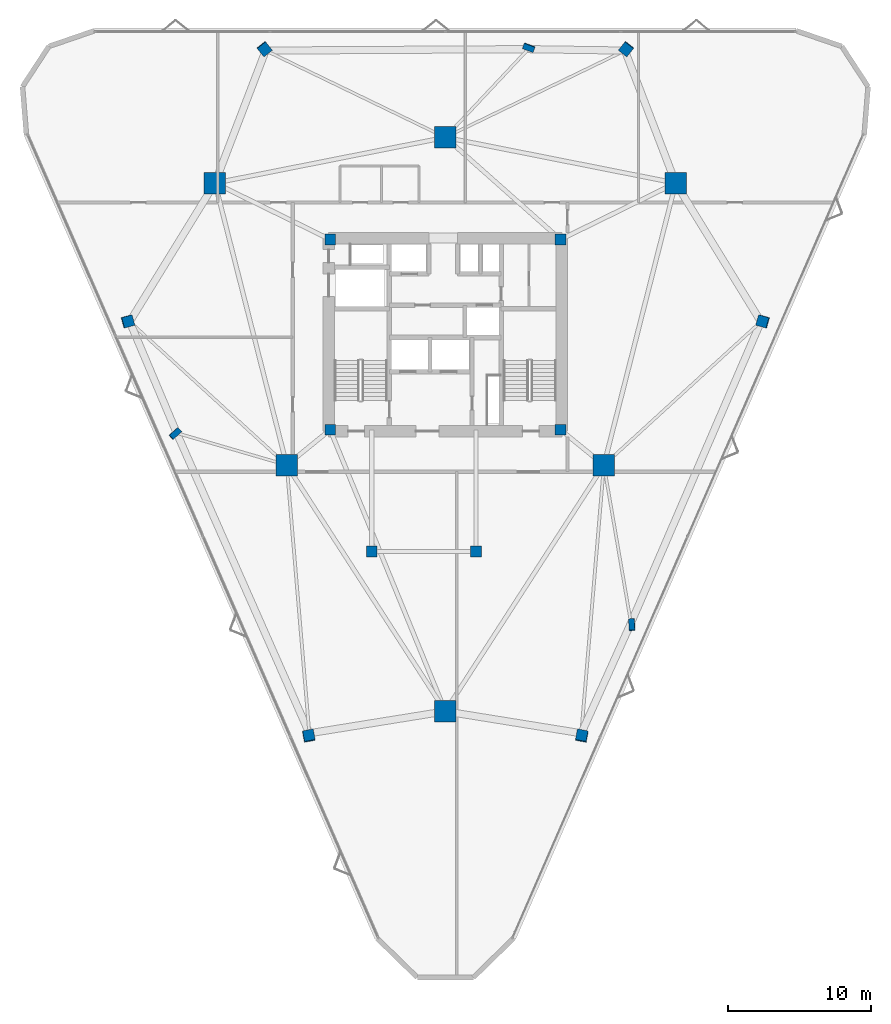
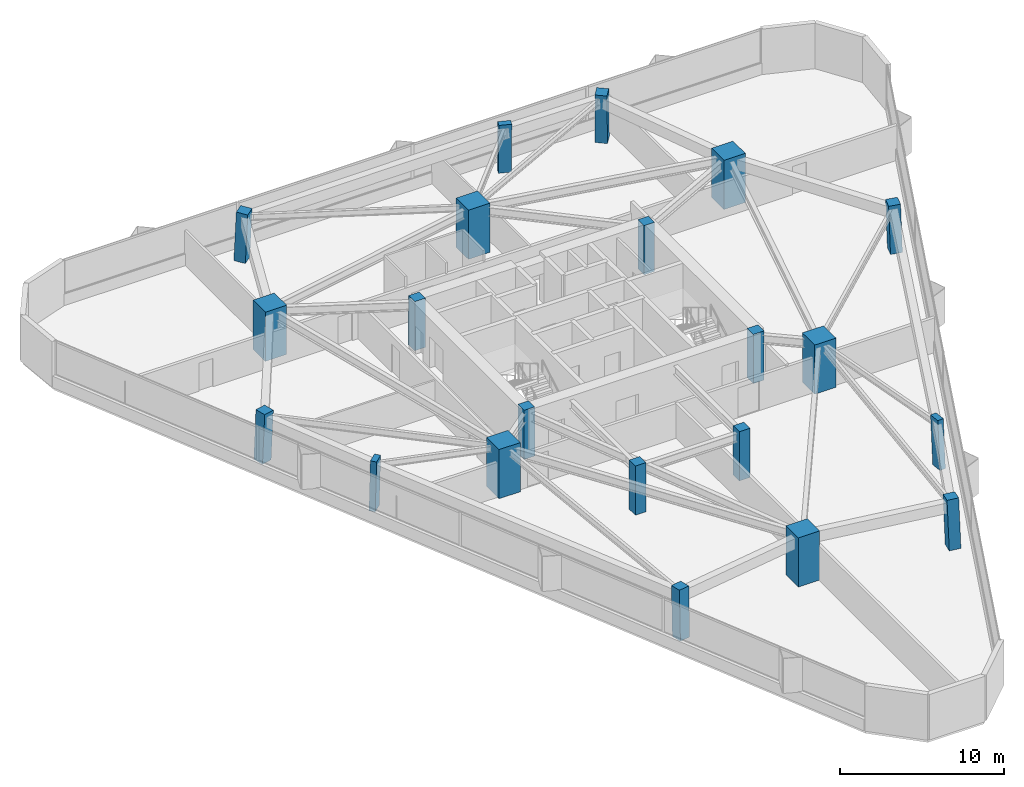
# One storey, part 1 of 14: 21 columns.
"""IFC4 building model written with IfcOpenShell, lengths in metres."""

from ifc_helpers import new_model, si_unit, direction, frame, origin, origin_2d, place, context, subcontext, project, spatial, rectangle, extrude, material, material_profile, profile_set, type_object, element, save


model = new_model("IFC4")

# Units and contexts
model_context = context("Model", 3, precision=1e-05, world=origin(), true_north=direction((0.0, 1.0)))
body_context = subcontext(model_context, "Body", "Model", "MODEL_VIEW")
ifc_project = project(units=[si_unit("LENGTHUNIT", "METRE"), si_unit("AREAUNIT", "SQUARE_METRE"), si_unit("VOLUMEUNIT", "CUBIC_METRE"), si_unit("PLANEANGLEUNIT", "RADIAN"), si_unit("MASSUNIT", "GRAM", prefix="KILO")], contexts=[model_context])

# Site, building, storey
site_placement = place(None, origin())
site = spatial("IfcSite", under=ifc_project, at=site_placement, CompositionType="ELEMENT")
building_placement = place(site_placement, origin())
building = spatial("IfcBuilding", under=site, at=building_placement, Name="Talyreon Biosciences Tower", CompositionType="ELEMENT")
storey_placement = place(building_placement, frame((0.0, 0.0, 130.85009765625)))
storey = spatial("IfcBuildingStorey", under=building, at=storey_placement, Name="L34", CompositionType="ELEMENT", Elevation=130.85009765625)

# Columns
ifc_material_1 = material(Name="Precast concrete C45/55", Category="concrete")
ifc_material_profile_1 = material_profile(ifc_material_1, rectangle(XDim=0.800048828125, YDim=0.39990234375, at=origin_2d()), Name="RC 800x400")
ifc_profile_set_1 = profile_set([ifc_material_profile_1], Name="Precast concrete C45/55")
column_type_1 = type_object("IfcColumnType", Name="FacadePilaster_800x400", PredefinedType="PILASTER", material=ifc_profile_set_1)
column_1_placement = place(storey_placement, frame((79.05078125, 47.701171875, 0.0029296875), z_axis=(-0.019612004119, 0.038286915892, 0.999074312234), x_axis=(0.06144981854, -0.997331178657, 0.03942638557)))
element("IfcColumn", 1, at=column_1_placement, inside=storey, type_object=column_type_1, Name="L34 Facade Pilaster PL-SE", PredefinedType="PILASTER", context=body_context, shape_type="SweptSolid", body=[
    extrude(rectangle(XDim=0.800048828125, YDim=0.39990234375, at=origin_2d()), origin(), (0.0, 0.0, 1.0), 3.6474609375),
])
column_2_placement = place(storey_placement, frame((71.84033203125, 88.080810546875, 0.0029296875), z_axis=(-0.01238655289, -0.033544124313, 0.999360478022), x_axis=(-0.9380871136, 0.346399433166, 0.0)))
element("IfcColumn", 2, at=column_2_placement, inside=storey, type_object=column_type_1, Name="L34 Facade Pilaster PL-N", PredefinedType="PILASTER", context=body_context, shape_type="SweptSolid", body=[
    extrude(rectangle(XDim=0.800048828125, YDim=0.39990234375, at=origin_2d()), origin(), (0.0, 0.0, 1.0), 3.646484375),
])
column_3_placement = place(storey_placement, frame((47.10888671875, 61.0830078125, 0.0029296875), z_axis=(0.032006476949, 0.010512587617, 0.999432374368), x_axis=(0.745436848486, 0.665860767663, -0.030876253122)))
element("IfcColumn", 3, at=column_3_placement, inside=storey, type_object=column_type_1, Name="L34 Facade Pilaster PL-SW", PredefinedType="PILASTER", context=body_context, shape_type="SweptSolid", body=[
    extrude(rectangle(XDim=0.800048828125, YDim=0.39990234375, at=origin_2d()), origin(), (0.0, 0.0, 1.0), 3.64599609375),
])
ifc_material_2 = material(Name="Concrete C60/75", Category="concrete")
ifc_material_profile_2 = material_profile(ifc_material_2, rectangle(XDim=1.5, YDim=1.5, at=origin_2d()), Name="RC 1500x1500")
ifc_profile_set_2 = profile_set([ifc_material_profile_2], Name="Concrete C60/75")
column_type_2 = type_object("IfcColumnType", Name="MegaColumn_1500", PredefinedType="COLUMN", material=ifc_profile_set_2)
for number, where, z_axis, x_axis, name in (
    (4, (66.0, 41.6669921875, 0.0), (0.0, 0.0, 1.0), (1.0, 0.0, 0.0), "L34 Composite Mega-Column MC1"),
    (5, (82.102294921875, 78.5986328125, 0.0), (0.0, 0.0, 1.0), (1.0, 0.0, 0.0), "L34 Composite Mega-Column MC2"),
    (6, (49.897705078125, 78.5986328125, 0.0), (0.0, 0.0, 1.0), (1.0, 0.0, 0.0), "L34 Composite Mega-Column MC3"),
    (7, (77.086181640625, 58.88037109375, 0.0), (0.0, 0.0, 1.0), (1.0, 0.0, 0.0), "L34 Composite Mega-Column MC4"),
    (8, (66.0, 81.788818359375, 0.0), (0.0, 0.0, 1.0), (1.0, 0.0, 0.0), "L34 Composite Mega-Column MC5"),
    (9, (54.913818359375, 58.88037109375, 0.0), (0.0, 0.0, 1.0), (1.0, 0.0, 0.0), "L34 Composite Mega-Column MC6"),
):
    element("IfcColumn", number, at=place(storey_placement, frame(where, z_axis=z_axis, x_axis=x_axis)), inside=storey, type_object=column_type_2, Name=name, PredefinedType="COLUMN", context=body_context, shape_type="SweptSolid", body=[
        extrude(rectangle(XDim=1.5, YDim=1.5, at=origin_2d()), origin(), (0.0, 0.0, 1.0), 3.64990234375),
    ])
ifc_material_3 = material(Name="Concrete C50/60", Category="concrete")
ifc_material_profile_3 = material_profile(ifc_material_3, rectangle(XDim=0.75, YDim=0.75, at=origin_2d()), Name="RC 750x750")
ifc_profile_set_3 = profile_set([ifc_material_profile_3], Name="Concrete C50/60")
column_type_3 = type_object("IfcColumnType", Name="PerimeterColumn_750", PredefinedType="COLUMN", material=ifc_profile_set_3)
for number, where, z_axis, x_axis, name in (
    (10, (57.949951171875, 61.35009765625, 0.0), (0.0, 0.0, 1.0), (1.0, 0.0, 0.0), "L34 Core Column CC1"),
    (11, (74.050048828125, 61.35009765625, 0.0), (0.0, 0.0, 1.0), (1.0, 0.0, 0.0), "L34 Core Column CC2"),
    (12, (74.050048828125, 74.64990234375, 0.0), (0.0, 0.0, 1.0), (1.0, 0.0, 0.0), "L34 Core Column CC3"),
    (13, (57.949951171875, 74.64990234375, 0.0), (0.0, 0.0, 1.0), (1.0, 0.0, 0.0), "L34 Core Column CC4"),
    (14, (60.85009765625, 52.840087890625, 0.0), (0.0, 0.0, 1.0), (1.0, 0.0, 0.0), "L34 Core Column CSW"),
    (15, (68.14990234375, 52.840087890625, 0.0), (0.0, 0.0, 1.0), (1.0, 0.0, 0.0), "L34 Core Column CSE"),
):
    element("IfcColumn", number, at=place(storey_placement, frame(where, z_axis=z_axis, x_axis=x_axis)), inside=storey, type_object=column_type_3, Name=name, PredefinedType="COLUMN", context=body_context, shape_type="SweptSolid", body=[
        extrude(rectangle(XDim=0.75, YDim=0.75, at=origin_2d()), origin(), (0.0, 0.0, 1.0), 3.64990234375),
    ])
column_4_placement = place(storey_placement, frame((75.55224609375, 39.93505859375, 0.0029296875), z_axis=(-0.012375141264, 0.054450621561, 0.998439775695), x_axis=(-0.187247897417, -0.980978636756, 0.051177525747)))
element("IfcColumn", 16, at=column_4_placement, inside=storey, type_object=column_type_3, Name="L34 Tapering Perimeter Column PC-SE1", PredefinedType="COLUMN", context=body_context, shape_type="SweptSolid", body=[
    extrude(rectangle(XDim=0.75, YDim=0.75, at=origin_2d()), origin(), (0.0, 0.0, 1.0), 3.649658203125),
])
column_5_placement = place(storey_placement, frame((88.206298828125, 68.928955078125, 0.0029296875), z_axis=(-0.039296334646, -0.005690269923, 0.99921139851), x_axis=(0.963664091793, -0.264626503724, 0.03639136869)))
element("IfcColumn", 17, at=column_5_placement, inside=storey, type_object=column_type_3, Name="L34 Tapering Perimeter Column PC-SE2", PredefinedType="COLUMN", context=body_context, shape_type="SweptSolid", body=[
    extrude(rectangle(XDim=0.75, YDim=0.75, at=origin_2d()), origin(), (0.0, 0.0, 1.0), 3.64697265625),
])
for number, where, z_axis, x_axis, name in (
    (18, (78.654052734375, 87.980712890625, 0.0029296875), (-0.026907963191, -0.033534551141, 0.999075270136), (-0.779956681152, 0.625833504637, 0.0), "L34 Tapering Perimeter Column PC-N1"),
    (19, (53.345947265625, 87.980712890625, 0.0029296875), (0.026907963191, -0.033534551141, 0.999075270136), (-0.779956681152, -0.625833504637, 0.0), "L34 Tapering Perimeter Column PC-N2"),
):
    element("IfcColumn", number, at=place(storey_placement, frame(where, z_axis=z_axis, x_axis=x_axis)), inside=storey, type_object=column_type_3, Name=name, PredefinedType="COLUMN", context=body_context, shape_type="SweptSolid", body=[
        extrude(rectangle(XDim=0.75, YDim=0.75, at=origin_2d()), origin(), (0.0, 0.0, 1.0), 3.6474609375),
    ])
column_6_placement = place(storey_placement, frame((43.793701171875, 68.928955078125, 0.0029296875), z_axis=(0.039296334646, -0.005690269923, 0.99921139851), x_axis=(0.963664091793, 0.264626503724, -0.03639136869)))
element("IfcColumn", 20, at=column_6_placement, inside=storey, type_object=column_type_3, Name="L34 Tapering Perimeter Column PC-SW1", PredefinedType="COLUMN", context=body_context, shape_type="SweptSolid", body=[
    extrude(rectangle(XDim=0.75, YDim=0.75, at=origin_2d()), origin(), (0.0, 0.0, 1.0), 3.64697265625),
])
column_7_placement = place(storey_placement, frame((56.44775390625, 39.93505859375, 0.0029296875), z_axis=(0.012375141264, 0.054450621561, 0.998439775695), x_axis=(-0.187247897417, 0.980978636756, -0.051177525747)))
element("IfcColumn", 21, at=column_7_placement, inside=storey, type_object=column_type_3, Name="L34 Tapering Perimeter Column PC-SW2", PredefinedType="COLUMN", context=body_context, shape_type="SweptSolid", body=[
    extrude(rectangle(XDim=0.75, YDim=0.75, at=origin_2d()), origin(), (0.0, 0.0, 1.0), 3.649658203125),
])

save(model, "model.ifc")
